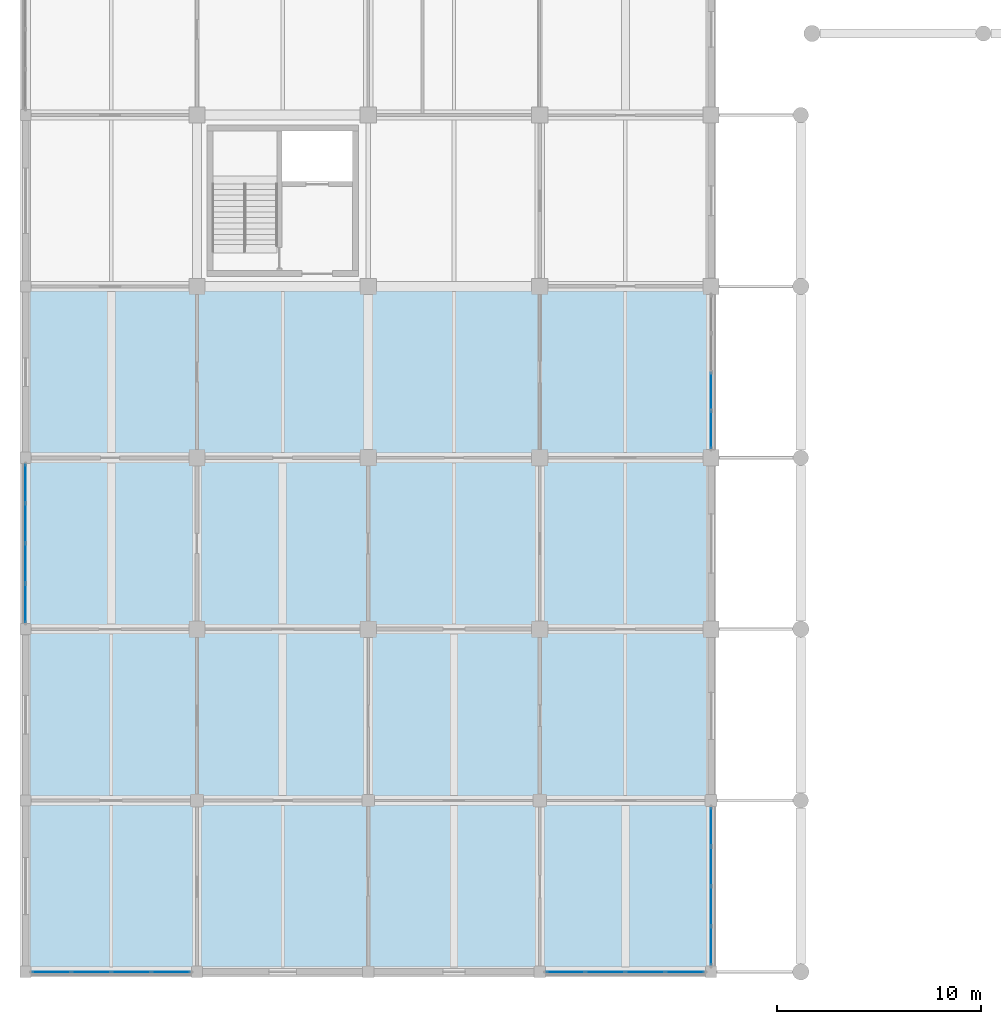
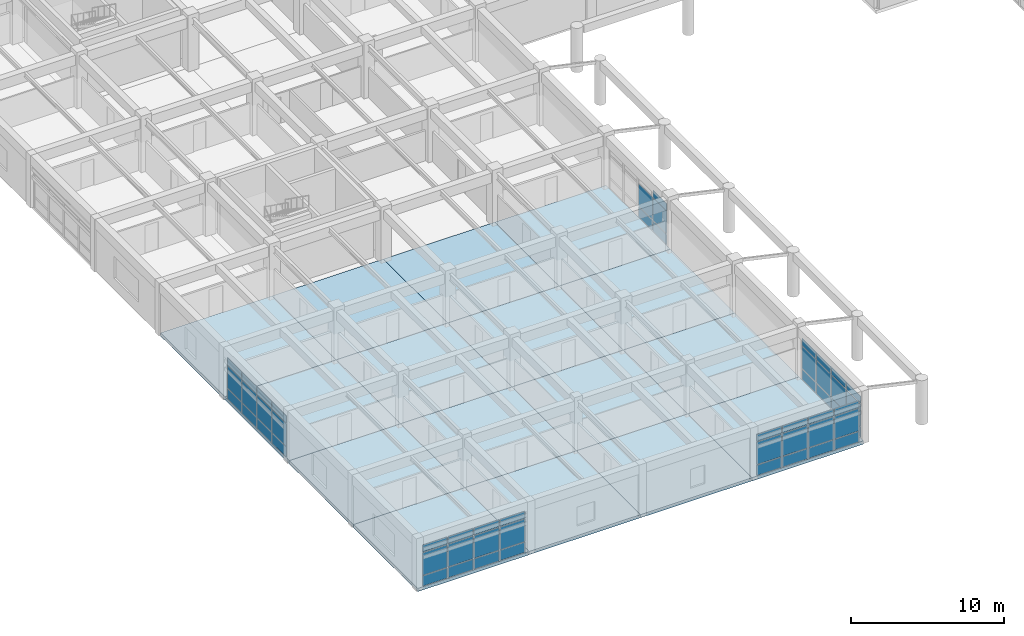
# One storey, part 58 of 99: 53 plates, 16 slabs, 5 elements without a shape of their own.
"""IFC4 building model written with IfcOpenShell, lengths in metres."""

import ifcopenshell
import ifcopenshell.guid

model = None  # the IFC model being written
_history = None  # IfcOwnerHistory: only IFC2X3 demands one
_inside = {}  # id of a spatial element -> (the spatial element, [elements in it])
_under = {}  # id of a project, library or spatial element -> (it, [spatial elements below it])
_declared = {}  # id of a project -> (the project, [libraries it declares])
_typed = {}  # id of a type object -> (the type object, [elements of that type])
_made_of = {}  # id of a material, layer set ... -> (it, [elements and type objects made of it])


def new_model(schema):
    """Start an empty IFC model of exactly this schema.

    Asked for "IFC4X3", IfcOpenShell would pick the latest addendum, in which some entities
    have other attributes; the version numbers below select the first issue.
    IFC2X3 requires an IfcOwnerHistory on every rooted entity: one is made here for all.
    """
    global model, _history
    if schema == "IFC4X3":
        model = ifcopenshell.file(schema_version=(4, 3, 0, 0))
    else:
        model = ifcopenshell.file(schema=schema)
    _inside.clear()
    _under.clear()
    _declared.clear()
    _typed.clear()
    _made_of.clear()
    _history = None
    if model.schema == "IFC2X3":
        org = make("IfcOrganization", Name="unknown")
        user = make(
            "IfcPersonAndOrganization",
            ThePerson=make("IfcPerson", FamilyName="unknown"),
            TheOrganization=org,
        )
        app = make(
            "IfcApplication",
            ApplicationDeveloper=org,
            Version="unknown",
            ApplicationFullName="unknown",
            ApplicationIdentifier="unknown",
        )
        _history = make(
            "IfcOwnerHistory",
            OwningUser=user,
            OwningApplication=app,
            ChangeAction="ADDED",
            CreationDate=0,
        )
    return model


def make(cls, **values):
    """One entity of the class cls with the attributes given. An attribute that is None is left unset."""
    return model.create_entity(
        cls, **{name: value for name, value in values.items() if value is not None}
    )


def rooted(cls, **values):
    """An entity with a GlobalId (a new one), such as an element, a storey or a relation."""
    return make(cls, GlobalId=ifcopenshell.guid.new(), OwnerHistory=_history, **values)


def si_unit(unit_type, name, prefix=None):
    """IfcSIUnit, for example si_unit("LENGTHUNIT", "METRE", prefix="MILLI")."""
    return make("IfcSIUnit", UnitType=unit_type, Prefix=prefix, Name=name)


def assignment(units):
    """IfcUnitAssignment: the units of a project."""
    return None if units is None else make("IfcUnitAssignment", Units=units)


def point(xyz):
    """IfcCartesianPoint."""
    return None if xyz is None else make("IfcCartesianPoint", Coordinates=xyz)


def direction(xyz):
    """IfcDirection."""
    return None if xyz is None else make("IfcDirection", DirectionRatios=xyz)


def frame(location, z_axis=None, x_axis=None):
    """IfcAxis2Placement3D, a coordinate frame: its origin and axes. An axis left out is left unset."""
    return make(
        "IfcAxis2Placement3D",
        Location=point(location),
        Axis=direction(z_axis),
        RefDirection=direction(x_axis),
    )


def frame_2d(location, x_axis=None):
    """IfcAxis2Placement2D, a coordinate frame in the plane: its origin and x axis."""
    return make(
        "IfcAxis2Placement2D", Location=point(location), RefDirection=direction(x_axis)
    )


def origin():
    """The frame at (0, 0, 0) with its axes left unset."""
    return frame((0.0, 0.0, 0.0))


def origin_2d():
    """The frame at (0, 0) in the plane with its x axis left unset."""
    return frame_2d((0.0, 0.0))


def place(relative_to, where):
    """IfcLocalPlacement: puts the frame where relative to a parent placement (None: the world)."""
    return make(
        "IfcLocalPlacement", PlacementRelTo=relative_to, RelativePlacement=where
    )


def context(
    kind, dimensions, precision=None, world=None, true_north=None, identifier=None
):
    """IfcGeometricRepresentationContext, for example the 3D "Model" context."""
    return make(
        "IfcGeometricRepresentationContext",
        ContextIdentifier=identifier,
        ContextType=kind,
        CoordinateSpaceDimension=dimensions,
        Precision=precision,
        WorldCoordinateSystem=world,
        TrueNorth=true_north,
    )


def subcontext(parent, identifier, kind, view, scale=None):
    """IfcGeometricRepresentationSubContext, for example "Body" below "Model"."""
    return make(
        "IfcGeometricRepresentationSubContext",
        ContextIdentifier=identifier,
        ContextType=kind,
        ParentContext=parent,
        TargetScale=scale,
        TargetView=view,
    )


def project(units=None, contexts=None):
    """IfcProject with its units and contexts."""
    return rooted(
        "IfcProject",
        Name="project",
        RepresentationContexts=contexts,
        UnitsInContext=assignment(units),
    )


def spatial(cls, under=None, at=None, **own):
    """A site, building, storey or space (cls), placed at a placement, below another one or the project."""
    s = rooted(cls, ObjectPlacement=at, **own)
    if under is not None:
        _under.setdefault(under.id(), (under, []))[1].append(s)
    return s


def polyline(points):
    """IfcPolyline through the points."""
    return make("IfcPolyline", Points=[point(p) for p in points])


def profile(cls, at=None, kind="AREA", **sizes):
    """A parametric profile (cls). Its sizes go by their IFC names, for example OverallWidth=200.0."""
    return make(cls, ProfileType=kind, Position=at, **sizes)


def rectangle(**sizes):
    """IfcRectangleProfileDef."""
    return profile("IfcRectangleProfileDef", **sizes)


def outline(outer, holes=None, kind="AREA"):
    """IfcArbitraryClosedProfileDef: a profile drawn as a closed curve; with holes, ...WithVoids."""
    if holes is None:
        return make("IfcArbitraryClosedProfileDef", ProfileType=kind, OuterCurve=outer)
    return make(
        "IfcArbitraryProfileDefWithVoids",
        ProfileType=kind,
        OuterCurve=outer,
        InnerCurves=holes,
    )


def extrude(swept, where, along, depth):
    """IfcExtrudedAreaSolid: the profile swept, set in the frame where, extruded along a direction by depth."""
    return make(
        "IfcExtrudedAreaSolid",
        SweptArea=swept,
        Position=where,
        ExtrudedDirection=direction(along),
        Depth=depth,
    )


def shape(context_of_items, identifier, shape_type, items):
    """IfcShapeRepresentation: the items that make up one representation, for example the "Body"."""
    return make(
        "IfcShapeRepresentation",
        ContextOfItems=context_of_items,
        RepresentationIdentifier=identifier,
        RepresentationType=shape_type,
        Items=items,
    )


def material(Name=None, Category=None):
    """IfcMaterial."""
    return make("IfcMaterial", Name=Name, Category=Category)


def layer(
    of_material, thickness, ventilated=None, Name=None, Category=None, Priority=None
):
    """IfcMaterialLayer: one layer of a wall or slab, of a material (None: an air gap)."""
    return make(
        "IfcMaterialLayer",
        Material=of_material,
        LayerThickness=thickness,
        IsVentilated=ventilated,
        Name=Name,
        Category=Category,
        Priority=Priority,
    )


def layer_set(layers, Name=None):
    """IfcMaterialLayerSet."""
    return make("IfcMaterialLayerSet", MaterialLayers=layers, LayerSetName=Name)


def made_of(thing, what):
    """Note that an element or type object is made of a material, layer set ...; save() writes the relation."""
    if what is not None:
        _made_of.setdefault(what.id(), (what, []))[1].append(thing)
    return thing


def type_object(cls, material=None, **own):
    """A type object (cls), such as IfcWallType, which elements share."""
    return made_of(rooted(cls, **own), material)


def element(
    cls,
    number,
    at=None,
    inside=None,
    cuts=None,
    type_object=None,
    material=None,
    context=None,
    identifier="Body",
    shape_type=None,
    held_by="IfcProductDefinitionShape",
    body=None,
    shapes=None,
    **own,
):
    """One element of the class cls, such as IfcWall. Its Tag is "e" and its number.

    at: its placement. inside: the storey or other place that contains it. cuts: it is an
    opening in that element (IfcRelVoidsElement). A single representation is given by context,
    identifier, shape_type and body (its items); several are given by shapes. held_by: the class
    of the entity that holds the representations. save() writes the other relations.
    """
    e = rooted(cls, Tag="e%d" % number, ObjectPlacement=at, **own)
    if body is not None:
        shapes = [shape(context, identifier, shape_type, body)]
    if shapes is not None:
        e.Representation = make(held_by, Representations=shapes)
    if inside is not None:
        _inside.setdefault(inside.id(), (inside, []))[1].append(e)
    if cuts is not None:
        rooted(
            "IfcRelVoidsElement", RelatingBuildingElement=cuts, RelatedOpeningElement=e
        )
    if type_object is not None:
        _typed.setdefault(type_object.id(), (type_object, []))[1].append(e)
    return made_of(e, material)


def aggregate(whole, parts):
    """IfcRelAggregates: a whole, such as a stair, and the parts it consists of."""
    return rooted("IfcRelAggregates", RelatingObject=whole, RelatedObjects=parts)


def save(model, path):
    """Write the relations noted so far, then the file.

    IfcRelAggregates (storeys below a building ...), IfcRelContainedInSpatialStructure (elements
    in a storey), IfcRelDefinesByType, IfcRelAssociatesMaterial and IfcRelDeclares: one each for
    every whole, place, type object, material and project.
    """
    for whole, parts in _under.values():
        aggregate(whole, parts)
    for where, things in _inside.values():
        rooted(
            "IfcRelContainedInSpatialStructure",
            RelatedElements=things,
            RelatingStructure=where,
        )
    for kind, things in _typed.values():
        rooted("IfcRelDefinesByType", RelatedObjects=things, RelatingType=kind)
    for what, things in _made_of.values():
        rooted("IfcRelAssociatesMaterial", RelatedObjects=things, RelatingMaterial=what)
    for by, libraries in _declared.values():
        rooted("IfcRelDeclares", RelatingContext=by, RelatedDefinitions=libraries)
    model.write(path)


model = new_model("IFC4")

# Units and contexts
model_context = context("Model", 3, precision=1e-05, world=origin(), true_north=direction((0.0, 1.0)))
body_context = subcontext(model_context, "Body", "Model", "MODEL_VIEW")
ifc_project = project(units=[si_unit("LENGTHUNIT", "METRE"), si_unit("AREAUNIT", "SQUARE_METRE"), si_unit("VOLUMEUNIT", "CUBIC_METRE"), si_unit("PLANEANGLEUNIT", "RADIAN"), si_unit("MASSUNIT", "GRAM", prefix="KILO")], contexts=[model_context])

# Site, building, storey
site_placement = place(None, origin())
site = spatial("IfcSite", under=ifc_project, at=site_placement, CompositionType="ELEMENT")
building_placement = place(site_placement, origin())
building = spatial("IfcBuilding", under=site, at=building_placement, Name="Porcellanite Civic Hall", CompositionType="ELEMENT")
storey_placement = place(building_placement, frame((0.0, 0.0, 5.760009765625)))
storey = spatial("IfcBuildingStorey", under=building, at=storey_placement, Name="L01", CompositionType="ELEMENT", Elevation=5.760009765625)

# Curtain wall, plates
ifc_material_1 = material(Name="Anodised aluminium and solar laminated glass", Category="aluminium")
ifc_layer_1 = layer(ifc_material_1, 0.179931640625)
ifc_layer_set_1 = layer_set([ifc_layer_1], Name="Anodised aluminium and solar laminated glass")
curtain_wall_type = type_object("IfcCurtainWallType", Name="CW-SYS05", PredefinedType="NOTDEFINED", material=ifc_layer_set_1)
curtain_wall_1_placement = place(storey_placement, origin())
curtain_wall_1 = element("IfcCurtainWall", 1, at=curtain_wall_1_placement, inside=storey, type_object=curtain_wall_type, Name="Curtain wall CW-060", PredefinedType="NOTDEFINED")
ifc_material_2 = material(Name="Cyclone laminated solar-control low-E glass", Category="glass")
ifc_layer_2 = layer(ifc_material_2, 0.028076171875)
ifc_layer_set_2 = layer_set([ifc_layer_2], Name="Cyclone laminated solar-control low-E glass")
plate_type = type_object("IfcPlateType", Name="CWP-03", PredefinedType="CURTAIN_PANEL", material=ifc_layer_set_2)
plate_1_placement = place(storey_placement, frame((7.12548828125, 0.0, 0.06005859375), z_axis=(0.0, 0.0, 1.0), x_axis=(-1.0, 0.0, 0.0)))
plate_1 = element("IfcPlate", 2, at=plate_1_placement, type_object=plate_type, Name="CW-060 panel 1.1", PredefinedType="CURTAIN_PANEL", context=body_context, shape_type="SweptSolid", body=[
    extrude(rectangle(XDim=1.85693359375, YDim=0.028076171875, at=origin_2d()), origin(), (0.0, 0.0, 1.0), 0.81005859375),
])
plate_2_placement = place(storey_placement, frame((7.12548828125, 0.0, 0.929931640625), z_axis=(0.0, 0.0, 1.0), x_axis=(-1.0, 0.0, 0.0)))
plate_2 = element("IfcPlate", 3, at=plate_2_placement, type_object=plate_type, Name="CW-060 panel 1.2", PredefinedType="CURTAIN_PANEL", context=body_context, shape_type="SweptSolid", body=[
    extrude(rectangle(XDim=1.85693359375, YDim=0.028076171875, at=origin_2d()), origin(), (0.0, 0.0, 1.0), 1.7900390625),
])
plate_3_placement = place(storey_placement, frame((7.12548828125, 0.0, 2.780029296875), z_axis=(0.0, 0.0, 1.0), x_axis=(-1.0, 0.0, 0.0)))
plate_3 = element("IfcPlate", 4, at=plate_3_placement, type_object=plate_type, Name="CW-060 panel 1.3", PredefinedType="CURTAIN_PANEL", context=body_context, shape_type="SweptSolid", body=[
    extrude(rectangle(XDim=1.85693359375, YDim=0.028076171875, at=origin_2d()), origin(), (0.0, 0.0, 1.0), 0.56005859375),
])
plate_4_placement = place(storey_placement, frame((5.180908203125, 0.0, 0.06005859375), z_axis=(0.0, 0.0, 1.0), x_axis=(-1.0, 0.0, 0.0)))
plate_4 = element("IfcPlate", 5, at=plate_4_placement, type_object=plate_type, Name="CW-060 panel 2.1", PredefinedType="CURTAIN_PANEL", context=body_context, shape_type="SweptSolid", body=[
    extrude(rectangle(XDim=1.89208984375, YDim=0.028076171875, at=origin_2d()), origin(), (0.0, 0.0, 1.0), 0.81005859375),
])
plate_5_placement = place(storey_placement, frame((5.180908203125, 0.0, 0.929931640625), z_axis=(0.0, 0.0, 1.0), x_axis=(-1.0, 0.0, 0.0)))
plate_5 = element("IfcPlate", 6, at=plate_5_placement, type_object=plate_type, Name="CW-060 panel 2.2", PredefinedType="CURTAIN_PANEL", context=body_context, shape_type="SweptSolid", body=[
    extrude(rectangle(XDim=1.89208984375, YDim=0.028076171875, at=origin_2d()), origin(), (0.0, 0.0, 1.0), 1.7900390625),
])
plate_6_placement = place(storey_placement, frame((5.180908203125, 0.0, 2.780029296875), z_axis=(0.0, 0.0, 1.0), x_axis=(-1.0, 0.0, 0.0)))
plate_6 = element("IfcPlate", 7, at=plate_6_placement, type_object=plate_type, Name="CW-060 panel 2.3", PredefinedType="CURTAIN_PANEL", context=body_context, shape_type="SweptSolid", body=[
    extrude(rectangle(XDim=1.89208984375, YDim=0.028076171875, at=origin_2d()), origin(), (0.0, 0.0, 1.0), 0.56005859375),
])
plate_7_placement = place(storey_placement, frame((3.218994140625, 0.0, 0.06005859375), z_axis=(0.0, 0.0, 1.0), x_axis=(-1.0, 0.0, 0.0)))
plate_7 = element("IfcPlate", 8, at=plate_7_placement, type_object=plate_type, Name="CW-060 panel 3.1", PredefinedType="CURTAIN_PANEL", context=body_context, shape_type="SweptSolid", body=[
    extrude(rectangle(XDim=1.89208984375, YDim=0.028076171875, at=origin_2d()), origin(), (0.0, 0.0, 1.0), 0.81005859375),
])
plate_8_placement = place(storey_placement, frame((3.218994140625, 0.0, 0.929931640625), z_axis=(0.0, 0.0, 1.0), x_axis=(-1.0, 0.0, 0.0)))
plate_8 = element("IfcPlate", 9, at=plate_8_placement, type_object=plate_type, Name="CW-060 panel 3.2", PredefinedType="CURTAIN_PANEL", context=body_context, shape_type="SweptSolid", body=[
    extrude(rectangle(XDim=1.89208984375, YDim=0.028076171875, at=origin_2d()), origin(), (0.0, 0.0, 1.0), 1.7900390625),
])
plate_9_placement = place(storey_placement, frame((3.218994140625, 0.0, 2.780029296875), z_axis=(0.0, 0.0, 1.0), x_axis=(-1.0, 0.0, 0.0)))
plate_9 = element("IfcPlate", 10, at=plate_9_placement, type_object=plate_type, Name="CW-060 panel 3.3", PredefinedType="CURTAIN_PANEL", context=body_context, shape_type="SweptSolid", body=[
    extrude(rectangle(XDim=1.89208984375, YDim=0.028076171875, at=origin_2d()), origin(), (0.0, 0.0, 1.0), 0.56005859375),
])
plate_10_placement = place(storey_placement, frame((1.2744140625, 0.0, 0.06005859375), z_axis=(0.0, 0.0, 1.0), x_axis=(-1.0, 0.0, 0.0)))
plate_10 = element("IfcPlate", 11, at=plate_10_placement, type_object=plate_type, Name="CW-060 panel 4.1", PredefinedType="CURTAIN_PANEL", context=body_context, shape_type="SweptSolid", body=[
    extrude(rectangle(XDim=1.85693359375, YDim=0.028076171875, at=origin_2d()), origin(), (0.0, 0.0, 1.0), 0.81005859375),
])
plate_11_placement = place(storey_placement, frame((1.2744140625, 0.0, 0.929931640625), z_axis=(0.0, 0.0, 1.0), x_axis=(-1.0, 0.0, 0.0)))
plate_11 = element("IfcPlate", 12, at=plate_11_placement, type_object=plate_type, Name="CW-060 panel 4.2", PredefinedType="CURTAIN_PANEL", context=body_context, shape_type="SweptSolid", body=[
    extrude(rectangle(XDim=1.85693359375, YDim=0.028076171875, at=origin_2d()), origin(), (0.0, 0.0, 1.0), 1.7900390625),
])
plate_12_placement = place(storey_placement, frame((1.2744140625, 0.0, 2.780029296875), z_axis=(0.0, 0.0, 1.0), x_axis=(-1.0, 0.0, 0.0)))
plate_12 = element("IfcPlate", 13, at=plate_12_placement, type_object=plate_type, Name="CW-060 panel 4.3", PredefinedType="CURTAIN_PANEL", context=body_context, shape_type="SweptSolid", body=[
    extrude(rectangle(XDim=1.85693359375, YDim=0.028076171875, at=origin_2d()), origin(), (0.0, 0.0, 1.0), 0.56005859375),
])
aggregate(curtain_wall_1, [plate_1, plate_2, plate_3, plate_4, plate_5, plate_6, plate_7, plate_8, plate_9, plate_10, plate_11, plate_12])

curtain_wall_2_placement = place(storey_placement, origin())
curtain_wall_2 = element("IfcCurtainWall", 14, at=curtain_wall_2_placement, inside=storey, type_object=curtain_wall_type, Name="Curtain wall CW-061", PredefinedType="NOTDEFINED")
plate_13_placement = place(storey_placement, frame((0.0, 18.074462890625, 0.06005859375), z_axis=(0.0, 0.0, 1.0), x_axis=(0.0, 1.0, 0.0)))
plate_13 = element("IfcPlate", 15, at=plate_13_placement, type_object=plate_type, Name="CW-061 panel 1.1", PredefinedType="CURTAIN_PANEL", context=body_context, shape_type="SweptSolid", body=[
    extrude(rectangle(XDim=1.85693359375, YDim=0.028076171875, at=origin_2d()), origin(), (0.0, 0.0, 1.0), 0.81005859375),
])
plate_14_placement = place(storey_placement, frame((0.0, 18.074462890625, 0.929931640625), z_axis=(0.0, 0.0, 1.0), x_axis=(0.0, 1.0, 0.0)))
plate_14 = element("IfcPlate", 16, at=plate_14_placement, type_object=plate_type, Name="CW-061 panel 1.2", PredefinedType="CURTAIN_PANEL", context=body_context, shape_type="SweptSolid", body=[
    extrude(rectangle(XDim=1.85693359375, YDim=0.028076171875, at=origin_2d()), origin(), (0.0, 0.0, 1.0), 1.7900390625),
])
plate_15_placement = place(storey_placement, frame((0.0, 18.074462890625, 2.780029296875), z_axis=(0.0, 0.0, 1.0), x_axis=(0.0, 1.0, 0.0)))
plate_15 = element("IfcPlate", 17, at=plate_15_placement, type_object=plate_type, Name="CW-061 panel 1.3", PredefinedType="CURTAIN_PANEL", context=body_context, shape_type="SweptSolid", body=[
    extrude(rectangle(XDim=1.85693359375, YDim=0.028076171875, at=origin_2d()), origin(), (0.0, 0.0, 1.0), 0.56005859375),
])
plate_16_placement = place(storey_placement, frame((0.0, 20.01904296875, 0.06005859375), z_axis=(0.0, 0.0, 1.0), x_axis=(0.0, 1.0, 0.0)))
plate_16 = element("IfcPlate", 18, at=plate_16_placement, type_object=plate_type, Name="CW-061 panel 2.1", PredefinedType="CURTAIN_PANEL", context=body_context, shape_type="SweptSolid", body=[
    extrude(rectangle(XDim=1.89208984375, YDim=0.028076171875, at=origin_2d()), origin(), (0.0, 0.0, 1.0), 0.81005859375),
])
plate_17_placement = place(storey_placement, frame((0.0, 20.01904296875, 0.929931640625), z_axis=(0.0, 0.0, 1.0), x_axis=(0.0, 1.0, 0.0)))
plate_17 = element("IfcPlate", 19, at=plate_17_placement, type_object=plate_type, Name="CW-061 panel 2.2", PredefinedType="CURTAIN_PANEL", context=body_context, shape_type="SweptSolid", body=[
    extrude(rectangle(XDim=1.89208984375, YDim=0.028076171875, at=origin_2d()), origin(), (0.0, 0.0, 1.0), 1.7900390625),
])
plate_18_placement = place(storey_placement, frame((0.0, 20.01904296875, 2.780029296875), z_axis=(0.0, 0.0, 1.0), x_axis=(0.0, 1.0, 0.0)))
plate_18 = element("IfcPlate", 20, at=plate_18_placement, type_object=plate_type, Name="CW-061 panel 2.3", PredefinedType="CURTAIN_PANEL", context=body_context, shape_type="SweptSolid", body=[
    extrude(rectangle(XDim=1.89208984375, YDim=0.028076171875, at=origin_2d()), origin(), (0.0, 0.0, 1.0), 0.56005859375),
])
plate_19_placement = place(storey_placement, frame((0.0, 21.98095703125, 0.06005859375), z_axis=(0.0, 0.0, 1.0), x_axis=(0.0, 1.0, 0.0)))
plate_19 = element("IfcPlate", 21, at=plate_19_placement, type_object=plate_type, Name="CW-061 panel 3.1", PredefinedType="CURTAIN_PANEL", context=body_context, shape_type="SweptSolid", body=[
    extrude(rectangle(XDim=1.89208984375, YDim=0.028076171875, at=origin_2d()), origin(), (0.0, 0.0, 1.0), 0.81005859375),
])
plate_20_placement = place(storey_placement, frame((0.0, 21.98095703125, 0.929931640625), z_axis=(0.0, 0.0, 1.0), x_axis=(0.0, 1.0, 0.0)))
plate_20 = element("IfcPlate", 22, at=plate_20_placement, type_object=plate_type, Name="CW-061 panel 3.2", PredefinedType="CURTAIN_PANEL", context=body_context, shape_type="SweptSolid", body=[
    extrude(rectangle(XDim=1.89208984375, YDim=0.028076171875, at=origin_2d()), origin(), (0.0, 0.0, 1.0), 1.7900390625),
])
plate_21_placement = place(storey_placement, frame((0.0, 21.98095703125, 2.780029296875), z_axis=(0.0, 0.0, 1.0), x_axis=(0.0, 1.0, 0.0)))
plate_21 = element("IfcPlate", 23, at=plate_21_placement, type_object=plate_type, Name="CW-061 panel 3.3", PredefinedType="CURTAIN_PANEL", context=body_context, shape_type="SweptSolid", body=[
    extrude(rectangle(XDim=1.89208984375, YDim=0.028076171875, at=origin_2d()), origin(), (0.0, 0.0, 1.0), 0.56005859375),
])
plate_22_placement = place(storey_placement, frame((0.0, 23.925537109375, 0.06005859375), z_axis=(0.0, 0.0, 1.0), x_axis=(0.0, 1.0, 0.0)))
plate_22 = element("IfcPlate", 24, at=plate_22_placement, type_object=plate_type, Name="CW-061 panel 4.1", PredefinedType="CURTAIN_PANEL", context=body_context, shape_type="SweptSolid", body=[
    extrude(rectangle(XDim=1.85693359375, YDim=0.028076171875, at=origin_2d()), origin(), (0.0, 0.0, 1.0), 0.81005859375),
])
plate_23_placement = place(storey_placement, frame((0.0, 23.925537109375, 0.929931640625), z_axis=(0.0, 0.0, 1.0), x_axis=(0.0, 1.0, 0.0)))
plate_23 = element("IfcPlate", 25, at=plate_23_placement, type_object=plate_type, Name="CW-061 panel 4.2", PredefinedType="CURTAIN_PANEL", context=body_context, shape_type="SweptSolid", body=[
    extrude(rectangle(XDim=1.85693359375, YDim=0.028076171875, at=origin_2d()), origin(), (0.0, 0.0, 1.0), 1.7900390625),
])
plate_24_placement = place(storey_placement, frame((0.0, 23.925537109375, 2.780029296875), z_axis=(0.0, 0.0, 1.0), x_axis=(0.0, 1.0, 0.0)))
plate_24 = element("IfcPlate", 26, at=plate_24_placement, type_object=plate_type, Name="CW-061 panel 4.3", PredefinedType="CURTAIN_PANEL", context=body_context, shape_type="SweptSolid", body=[
    extrude(rectangle(XDim=1.85693359375, YDim=0.028076171875, at=origin_2d()), origin(), (0.0, 0.0, 1.0), 0.56005859375),
])
aggregate(curtain_wall_2, [plate_13, plate_14, plate_15, plate_16, plate_17, plate_18, plate_19, plate_20, plate_21, plate_22, plate_23, plate_24])

curtain_wall_3_placement = place(storey_placement, origin())
curtain_wall_3 = element("IfcCurtainWall", 27, at=curtain_wall_3_placement, inside=storey, type_object=curtain_wall_type, Name="Curtain wall CW-069", PredefinedType="NOTDEFINED")
plate_25_placement = place(storey_placement, frame((32.325439453125, 0.0, 0.06005859375), z_axis=(0.0, 0.0, 1.0), x_axis=(-1.0, 0.0, 0.0)))
plate_25 = element("IfcPlate", 28, at=plate_25_placement, type_object=plate_type, Name="CW-069 panel 1.1", PredefinedType="CURTAIN_PANEL", context=body_context, shape_type="SweptSolid", body=[
    extrude(rectangle(XDim=1.85693359375, YDim=0.028076171875, at=origin_2d()), origin(), (0.0, 0.0, 1.0), 0.81005859375),
])
plate_26_placement = place(storey_placement, frame((32.325439453125, 0.0, 0.929931640625), z_axis=(0.0, 0.0, 1.0), x_axis=(-1.0, 0.0, 0.0)))
plate_26 = element("IfcPlate", 29, at=plate_26_placement, type_object=plate_type, Name="CW-069 panel 1.2", PredefinedType="CURTAIN_PANEL", context=body_context, shape_type="SweptSolid", body=[
    extrude(rectangle(XDim=1.85693359375, YDim=0.028076171875, at=origin_2d()), origin(), (0.0, 0.0, 1.0), 1.7900390625),
])
plate_27_placement = place(storey_placement, frame((32.325439453125, 0.0, 2.780029296875), z_axis=(0.0, 0.0, 1.0), x_axis=(-1.0, 0.0, 0.0)))
plate_27 = element("IfcPlate", 30, at=plate_27_placement, type_object=plate_type, Name="CW-069 panel 1.3", PredefinedType="CURTAIN_PANEL", context=body_context, shape_type="SweptSolid", body=[
    extrude(rectangle(XDim=1.85693359375, YDim=0.028076171875, at=origin_2d()), origin(), (0.0, 0.0, 1.0), 0.56005859375),
])
plate_28_placement = place(storey_placement, frame((30.381103515625, 0.0, 0.06005859375), z_axis=(0.0, 0.0, 1.0), x_axis=(-1.0, 0.0, 0.0)))
plate_28 = element("IfcPlate", 31, at=plate_28_placement, type_object=plate_type, Name="CW-069 panel 2.1", PredefinedType="CURTAIN_PANEL", context=body_context, shape_type="SweptSolid", body=[
    extrude(rectangle(XDim=1.89208984375, YDim=0.028076171875, at=origin_2d()), origin(), (0.0, 0.0, 1.0), 0.81005859375),
])
plate_29_placement = place(storey_placement, frame((30.381103515625, 0.0, 0.929931640625), z_axis=(0.0, 0.0, 1.0), x_axis=(-1.0, 0.0, 0.0)))
plate_29 = element("IfcPlate", 32, at=plate_29_placement, type_object=plate_type, Name="CW-069 panel 2.2", PredefinedType="CURTAIN_PANEL", context=body_context, shape_type="SweptSolid", body=[
    extrude(rectangle(XDim=1.89208984375, YDim=0.028076171875, at=origin_2d()), origin(), (0.0, 0.0, 1.0), 1.7900390625),
])
plate_30_placement = place(storey_placement, frame((30.381103515625, 0.0, 2.780029296875), z_axis=(0.0, 0.0, 1.0), x_axis=(-1.0, 0.0, 0.0)))
plate_30 = element("IfcPlate", 33, at=plate_30_placement, type_object=plate_type, Name="CW-069 panel 2.3", PredefinedType="CURTAIN_PANEL", context=body_context, shape_type="SweptSolid", body=[
    extrude(rectangle(XDim=1.89208984375, YDim=0.028076171875, at=origin_2d()), origin(), (0.0, 0.0, 1.0), 0.56005859375),
])
plate_31_placement = place(storey_placement, frame((28.4189453125, 0.0, 0.06005859375), z_axis=(0.0, 0.0, 1.0), x_axis=(-1.0, 0.0, 0.0)))
plate_31 = element("IfcPlate", 34, at=plate_31_placement, type_object=plate_type, Name="CW-069 panel 3.1", PredefinedType="CURTAIN_PANEL", context=body_context, shape_type="SweptSolid", body=[
    extrude(rectangle(XDim=1.89208984375, YDim=0.028076171875, at=origin_2d()), origin(), (0.0, 0.0, 1.0), 0.81005859375),
])
plate_32_placement = place(storey_placement, frame((28.4189453125, 0.0, 0.929931640625), z_axis=(0.0, 0.0, 1.0), x_axis=(-1.0, 0.0, 0.0)))
plate_32 = element("IfcPlate", 35, at=plate_32_placement, type_object=plate_type, Name="CW-069 panel 3.2", PredefinedType="CURTAIN_PANEL", context=body_context, shape_type="SweptSolid", body=[
    extrude(rectangle(XDim=1.89208984375, YDim=0.028076171875, at=origin_2d()), origin(), (0.0, 0.0, 1.0), 1.7900390625),
])
plate_33_placement = place(storey_placement, frame((28.4189453125, 0.0, 2.780029296875), z_axis=(0.0, 0.0, 1.0), x_axis=(-1.0, 0.0, 0.0)))
plate_33 = element("IfcPlate", 36, at=plate_33_placement, type_object=plate_type, Name="CW-069 panel 3.3", PredefinedType="CURTAIN_PANEL", context=body_context, shape_type="SweptSolid", body=[
    extrude(rectangle(XDim=1.89208984375, YDim=0.028076171875, at=origin_2d()), origin(), (0.0, 0.0, 1.0), 0.56005859375),
])
plate_34_placement = place(storey_placement, frame((26.474609375, 0.0, 0.06005859375), z_axis=(0.0, 0.0, 1.0), x_axis=(-1.0, 0.0, 0.0)))
plate_34 = element("IfcPlate", 37, at=plate_34_placement, type_object=plate_type, Name="CW-069 panel 4.1", PredefinedType="CURTAIN_PANEL", context=body_context, shape_type="SweptSolid", body=[
    extrude(rectangle(XDim=1.85693359375, YDim=0.028076171875, at=origin_2d()), origin(), (0.0, 0.0, 1.0), 0.81005859375),
])
plate_35_placement = place(storey_placement, frame((26.474609375, 0.0, 0.929931640625), z_axis=(0.0, 0.0, 1.0), x_axis=(-1.0, 0.0, 0.0)))
plate_35 = element("IfcPlate", 38, at=plate_35_placement, type_object=plate_type, Name="CW-069 panel 4.2", PredefinedType="CURTAIN_PANEL", context=body_context, shape_type="SweptSolid", body=[
    extrude(rectangle(XDim=1.85693359375, YDim=0.028076171875, at=origin_2d()), origin(), (0.0, 0.0, 1.0), 1.7900390625),
])
plate_36_placement = place(storey_placement, frame((26.474609375, 0.0, 2.780029296875), z_axis=(0.0, 0.0, 1.0), x_axis=(-1.0, 0.0, 0.0)))
plate_36 = element("IfcPlate", 39, at=plate_36_placement, type_object=plate_type, Name="CW-069 panel 4.3", PredefinedType="CURTAIN_PANEL", context=body_context, shape_type="SweptSolid", body=[
    extrude(rectangle(XDim=1.85693359375, YDim=0.028076171875, at=origin_2d()), origin(), (0.0, 0.0, 1.0), 0.56005859375),
])
aggregate(curtain_wall_3, [plate_25, plate_26, plate_27, plate_28, plate_29, plate_30, plate_31, plate_32, plate_33, plate_34, plate_35, plate_36])

curtain_wall_4_placement = place(storey_placement, origin())
curtain_wall_4 = element("IfcCurtainWall", 40, at=curtain_wall_4_placement, inside=storey, type_object=curtain_wall_type, Name="Curtain wall CW-070", PredefinedType="NOTDEFINED")
plate_37_placement = place(storey_placement, frame((33.60009765625, 7.103515625, 0.06005859375), z_axis=(0.0, 0.0, 1.0), x_axis=(0.0, -1.0, 0.0)))
plate_37 = element("IfcPlate", 41, at=plate_37_placement, type_object=plate_type, Name="CW-070 panel 1.1", PredefinedType="CURTAIN_PANEL", context=body_context, shape_type="SweptSolid", body=[
    extrude(rectangle(XDim=1.850830078125, YDim=0.028076171875, at=origin_2d()), origin(), (0.0, 0.0, 1.0), 0.81005859375),
])
plate_38_placement = place(storey_placement, frame((33.60009765625, 7.103515625, 0.929931640625), z_axis=(0.0, 0.0, 1.0), x_axis=(0.0, -1.0, 0.0)))
plate_38 = element("IfcPlate", 42, at=plate_38_placement, type_object=plate_type, Name="CW-070 panel 1.2", PredefinedType="CURTAIN_PANEL", context=body_context, shape_type="SweptSolid", body=[
    extrude(rectangle(XDim=1.850830078125, YDim=0.028076171875, at=origin_2d()), origin(), (0.0, 0.0, 1.0), 1.7900390625),
])
plate_39_placement = place(storey_placement, frame((33.60009765625, 7.103515625, 2.780029296875), z_axis=(0.0, 0.0, 1.0), x_axis=(0.0, -1.0, 0.0)))
plate_39 = element("IfcPlate", 43, at=plate_39_placement, type_object=plate_type, Name="CW-070 panel 1.3", PredefinedType="CURTAIN_PANEL", context=body_context, shape_type="SweptSolid", body=[
    extrude(rectangle(XDim=1.850830078125, YDim=0.028076171875, at=origin_2d()), origin(), (0.0, 0.0, 1.0), 0.56005859375),
])
plate_40_placement = place(storey_placement, frame((33.60009765625, 5.165283203125, 0.06005859375), z_axis=(0.0, 0.0, 1.0), x_axis=(0.0, -1.0, 0.0)))
plate_40 = element("IfcPlate", 44, at=plate_40_placement, type_object=plate_type, Name="CW-070 panel 2.1", PredefinedType="CURTAIN_PANEL", context=body_context, shape_type="SweptSolid", body=[
    extrude(rectangle(XDim=1.8857421875, YDim=0.028076171875, at=origin_2d()), origin(), (0.0, 0.0, 1.0), 0.81005859375),
])
plate_41_placement = place(storey_placement, frame((33.60009765625, 5.165283203125, 0.929931640625), z_axis=(0.0, 0.0, 1.0), x_axis=(0.0, -1.0, 0.0)))
plate_41 = element("IfcPlate", 45, at=plate_41_placement, type_object=plate_type, Name="CW-070 panel 2.2", PredefinedType="CURTAIN_PANEL", context=body_context, shape_type="SweptSolid", body=[
    extrude(rectangle(XDim=1.8857421875, YDim=0.028076171875, at=origin_2d()), origin(), (0.0, 0.0, 1.0), 1.7900390625),
])
plate_42_placement = place(storey_placement, frame((33.60009765625, 5.165283203125, 2.780029296875), z_axis=(0.0, 0.0, 1.0), x_axis=(0.0, -1.0, 0.0)))
plate_42 = element("IfcPlate", 46, at=plate_42_placement, type_object=plate_type, Name="CW-070 panel 2.3", PredefinedType="CURTAIN_PANEL", context=body_context, shape_type="SweptSolid", body=[
    extrude(rectangle(XDim=1.8857421875, YDim=0.028076171875, at=origin_2d()), origin(), (0.0, 0.0, 1.0), 0.56005859375),
])
plate_43_placement = place(storey_placement, frame((33.60009765625, 3.209716796875, 0.06005859375), z_axis=(0.0, 0.0, 1.0), x_axis=(0.0, -1.0, 0.0)))
plate_43 = element("IfcPlate", 47, at=plate_43_placement, type_object=plate_type, Name="CW-070 panel 3.1", PredefinedType="CURTAIN_PANEL", context=body_context, shape_type="SweptSolid", body=[
    extrude(rectangle(XDim=1.8857421875, YDim=0.028076171875, at=origin_2d()), origin(), (0.0, 0.0, 1.0), 0.81005859375),
])
plate_44_placement = place(storey_placement, frame((33.60009765625, 3.209716796875, 0.929931640625), z_axis=(0.0, 0.0, 1.0), x_axis=(0.0, -1.0, 0.0)))
plate_44 = element("IfcPlate", 48, at=plate_44_placement, type_object=plate_type, Name="CW-070 panel 3.2", PredefinedType="CURTAIN_PANEL", context=body_context, shape_type="SweptSolid", body=[
    extrude(rectangle(XDim=1.8857421875, YDim=0.028076171875, at=origin_2d()), origin(), (0.0, 0.0, 1.0), 1.7900390625),
])
plate_45_placement = place(storey_placement, frame((33.60009765625, 3.209716796875, 2.780029296875), z_axis=(0.0, 0.0, 1.0), x_axis=(0.0, -1.0, 0.0)))
plate_45 = element("IfcPlate", 49, at=plate_45_placement, type_object=plate_type, Name="CW-070 panel 3.3", PredefinedType="CURTAIN_PANEL", context=body_context, shape_type="SweptSolid", body=[
    extrude(rectangle(XDim=1.8857421875, YDim=0.028076171875, at=origin_2d()), origin(), (0.0, 0.0, 1.0), 0.56005859375),
])
plate_46_placement = place(storey_placement, frame((33.60009765625, 1.271484375, 0.06005859375), z_axis=(0.0, 0.0, 1.0), x_axis=(0.0, -1.0, 0.0)))
plate_46 = element("IfcPlate", 50, at=plate_46_placement, type_object=plate_type, Name="CW-070 panel 4.1", PredefinedType="CURTAIN_PANEL", context=body_context, shape_type="SweptSolid", body=[
    extrude(rectangle(XDim=1.850830078125, YDim=0.028076171875, at=origin_2d()), origin(), (0.0, 0.0, 1.0), 0.81005859375),
])
plate_47_placement = place(storey_placement, frame((33.60009765625, 1.271484375, 0.929931640625), z_axis=(0.0, 0.0, 1.0), x_axis=(0.0, -1.0, 0.0)))
plate_47 = element("IfcPlate", 51, at=plate_47_placement, type_object=plate_type, Name="CW-070 panel 4.2", PredefinedType="CURTAIN_PANEL", context=body_context, shape_type="SweptSolid", body=[
    extrude(rectangle(XDim=1.850830078125, YDim=0.028076171875, at=origin_2d()), origin(), (0.0, 0.0, 1.0), 1.7900390625),
])
plate_48_placement = place(storey_placement, frame((33.60009765625, 1.271484375, 2.780029296875), z_axis=(0.0, 0.0, 1.0), x_axis=(0.0, -1.0, 0.0)))
plate_48 = element("IfcPlate", 52, at=plate_48_placement, type_object=plate_type, Name="CW-070 panel 4.3", PredefinedType="CURTAIN_PANEL", context=body_context, shape_type="SweptSolid", body=[
    extrude(rectangle(XDim=1.850830078125, YDim=0.028076171875, at=origin_2d()), origin(), (0.0, 0.0, 1.0), 0.56005859375),
])
aggregate(curtain_wall_4, [plate_37, plate_38, plate_39, plate_40, plate_41, plate_42, plate_43, plate_44, plate_45, plate_46, plate_47, plate_48])

curtain_wall_5_placement = place(storey_placement, origin())
curtain_wall_5 = element("IfcCurtainWall", 53, at=curtain_wall_5_placement, inside=storey, type_object=curtain_wall_type, Name="Curtain wall CW-071", PredefinedType="NOTDEFINED")
plate_49_placement = place(storey_placement, frame((33.60009765625, 28.4501953125, 0.06005859375), z_axis=(0.0, 0.0, 1.0), x_axis=(0.0, -1.0, 0.0)))
plate_49 = element("IfcPlate", 54, at=plate_49_placement, type_object=plate_type, Name="CW-071 panel 3.1", PredefinedType="CURTAIN_PANEL", context=body_context, shape_type="SweptSolid", body=[
    extrude(rectangle(XDim=1.82958984375, YDim=0.028076171875, at=origin_2d()), origin(), (0.0, 0.0, 1.0), 0.81005859375),
])
plate_50_placement = place(storey_placement, frame((33.60009765625, 28.4501953125, 0.929931640625), z_axis=(0.0, 0.0, 1.0), x_axis=(0.0, -1.0, 0.0)))
plate_50 = element("IfcPlate", 55, at=plate_50_placement, type_object=plate_type, Name="CW-071 panel 3.2", PredefinedType="CURTAIN_PANEL", context=body_context, shape_type="SweptSolid", body=[
    extrude(rectangle(XDim=1.82958984375, YDim=0.028076171875, at=origin_2d()), origin(), (0.0, 0.0, 1.0), 1.7900390625),
])
plate_51_placement = place(storey_placement, frame((33.60009765625, 26.568359375, 0.06005859375), z_axis=(0.0, 0.0, 1.0), x_axis=(0.0, -1.0, 0.0)))
plate_51 = element("IfcPlate", 56, at=plate_51_placement, type_object=plate_type, Name="CW-071 panel 4.1", PredefinedType="CURTAIN_PANEL", context=body_context, shape_type="SweptSolid", body=[
    extrude(rectangle(XDim=1.79443359375, YDim=0.028076171875, at=origin_2d()), origin(), (0.0, 0.0, 1.0), 0.81005859375),
])
plate_52_placement = place(storey_placement, frame((33.60009765625, 26.568359375, 0.929931640625), z_axis=(0.0, 0.0, 1.0), x_axis=(0.0, -1.0, 0.0)))
plate_52 = element("IfcPlate", 57, at=plate_52_placement, type_object=plate_type, Name="CW-071 panel 4.2", PredefinedType="CURTAIN_PANEL", context=body_context, shape_type="SweptSolid", body=[
    extrude(rectangle(XDim=1.79443359375, YDim=0.028076171875, at=origin_2d()), origin(), (0.0, 0.0, 1.0), 1.7900390625),
])
plate_53_placement = place(storey_placement, frame((33.60009765625, 26.568359375, 2.780029296875), z_axis=(0.0, 0.0, 1.0), x_axis=(0.0, -1.0, 0.0)))
plate_53 = element("IfcPlate", 58, at=plate_53_placement, type_object=plate_type, Name="CW-071 panel 4.3", PredefinedType="CURTAIN_PANEL", context=body_context, shape_type="SweptSolid", body=[
    extrude(rectangle(XDim=1.79443359375, YDim=0.028076171875, at=origin_2d()), origin(), (0.0, 0.0, 1.0), 0.56005859375),
])
aggregate(curtain_wall_5, [plate_49, plate_50, plate_51, plate_52, plate_53])

# Slabs
ifc_material_3 = material(Name="Concrete N40 (40 MPa)", Category="concrete")
ifc_layer_3 = layer(ifc_material_3, 0.25)
ifc_layer_set_3 = layer_set([ifc_layer_3], Name="Concrete N40 (40 MPa)")
slab_type_1 = type_object("IfcSlabType", Name="SL-FL250", PredefinedType="FLOOR", material=ifc_layer_set_3)
slab_1_placement = place(storey_placement, frame((0.0, 0.0, -0.25)))
element("IfcSlab", 59, at=slab_1_placement, inside=storey, type_object=slab_type_1, Name="Slab L01 bay 1-2", PredefinedType="FLOOR", context=body_context, shape_type="SweptSolid", body=[
    extrude(outline(polyline([(0.0, 8.39990234375), (8.39990234375, 8.39990234375), (8.39990234375, 16.800048828125), (0.0, 16.800048828125), (0.0, 8.39990234375)])), origin(), (0.0, 0.0, 1.0), 0.25),
])
slab_2_placement = place(storey_placement, frame((0.0, 0.0, -0.25)))
element("IfcSlab", 60, at=slab_2_placement, inside=storey, type_object=slab_type_1, Name="Slab L01 bay 1-3", PredefinedType="FLOOR", context=body_context, shape_type="SweptSolid", body=[
    extrude(outline(polyline([(0.0, 16.800048828125), (8.39990234375, 16.800048828125), (8.39990234375, 25.199951171875), (0.0, 25.199951171875), (0.0, 16.800048828125)])), origin(), (0.0, 0.0, 1.0), 0.25),
])
slab_3_placement = place(storey_placement, frame((0.0, 0.0, -0.25)))
element("IfcSlab", 61, at=slab_3_placement, inside=storey, type_object=slab_type_1, Name="Slab L01 bay 2-1", PredefinedType="FLOOR", context=body_context, shape_type="SweptSolid", body=[
    extrude(outline(polyline([(8.39990234375, 0.0), (16.800048828125, 0.0), (16.800048828125, 8.39990234375), (8.39990234375, 8.39990234375), (8.39990234375, 0.0)])), origin(), (0.0, 0.0, 1.0), 0.25),
])
slab_4_placement = place(storey_placement, frame((0.0, 0.0, -0.25)))
element("IfcSlab", 62, at=slab_4_placement, inside=storey, type_object=slab_type_1, Name="Slab L01 bay 2-2", PredefinedType="FLOOR", context=body_context, shape_type="SweptSolid", body=[
    extrude(outline(polyline([(8.39990234375, 8.39990234375), (16.800048828125, 8.39990234375), (16.800048828125, 16.800048828125), (8.39990234375, 16.800048828125), (8.39990234375, 8.39990234375)])), origin(), (0.0, 0.0, 1.0), 0.25),
])
slab_5_placement = place(storey_placement, frame((0.0, 0.0, -0.25)))
element("IfcSlab", 63, at=slab_5_placement, inside=storey, type_object=slab_type_1, Name="Slab L01 bay 2-4", PredefinedType="FLOOR", context=body_context, shape_type="SweptSolid", body=[
    extrude(outline(polyline([(8.39990234375, 25.199951171875), (16.800048828125, 25.199951171875), (16.800048828125, 33.60009765625), (8.39990234375, 33.60009765625), (8.39990234375, 25.199951171875)])), origin(), (0.0, 0.0, 1.0), 0.25),
])
slab_6_placement = place(storey_placement, frame((0.0, 0.0, -0.25)))
element("IfcSlab", 64, at=slab_6_placement, inside=storey, type_object=slab_type_1, Name="Slab L01 bay 3-1", PredefinedType="FLOOR", context=body_context, shape_type="SweptSolid", body=[
    extrude(outline(polyline([(16.800048828125, 0.0), (25.199951171875, 0.0), (25.199951171875, 8.39990234375), (16.800048828125, 8.39990234375), (16.800048828125, 0.0)])), origin(), (0.0, 0.0, 1.0), 0.25),
])
slab_7_placement = place(storey_placement, frame((0.0, 0.0, -0.25)))
element("IfcSlab", 65, at=slab_7_placement, inside=storey, type_object=slab_type_1, Name="Slab L01 bay 3-3", PredefinedType="FLOOR", context=body_context, shape_type="SweptSolid", body=[
    extrude(outline(polyline([(16.800048828125, 16.800048828125), (25.199951171875, 16.800048828125), (25.199951171875, 25.199951171875), (16.800048828125, 25.199951171875), (16.800048828125, 16.800048828125)])), origin(), (0.0, 0.0, 1.0), 0.25),
])
slab_8_placement = place(storey_placement, frame((0.0, 0.0, -0.25)))
element("IfcSlab", 66, at=slab_8_placement, inside=storey, type_object=slab_type_1, Name="Slab L01 bay 3-4", PredefinedType="FLOOR", context=body_context, shape_type="SweptSolid", body=[
    extrude(outline(polyline([(16.800048828125, 25.199951171875), (25.199951171875, 25.199951171875), (25.199951171875, 33.60009765625), (16.800048828125, 33.60009765625), (16.800048828125, 25.199951171875)])), origin(), (0.0, 0.0, 1.0), 0.25),
])
slab_9_placement = place(storey_placement, frame((0.0, 0.0, -0.25)))
element("IfcSlab", 67, at=slab_9_placement, inside=storey, type_object=slab_type_1, Name="Slab L01 bay 4-2", PredefinedType="FLOOR", context=body_context, shape_type="SweptSolid", body=[
    extrude(outline(polyline([(25.199951171875, 8.39990234375), (33.60009765625, 8.39990234375), (33.60009765625, 16.800048828125), (25.199951171875, 16.800048828125), (25.199951171875, 8.39990234375)])), origin(), (0.0, 0.0, 1.0), 0.25),
])
slab_10_placement = place(storey_placement, frame((0.0, 0.0, -0.25)))
element("IfcSlab", 68, at=slab_10_placement, inside=storey, type_object=slab_type_1, Name="Slab L01 bay 4-3", PredefinedType="FLOOR", context=body_context, shape_type="SweptSolid", body=[
    extrude(outline(polyline([(25.199951171875, 16.800048828125), (33.60009765625, 16.800048828125), (33.60009765625, 25.199951171875), (25.199951171875, 25.199951171875), (25.199951171875, 16.800048828125)])), origin(), (0.0, 0.0, 1.0), 0.25),
])
ifc_material_4 = material(Name="Concrete N40 (40 MPa)", Category="concrete")
ifc_layer_4 = layer(ifc_material_4, 0.260009765625)
ifc_layer_set_4 = layer_set([ifc_layer_4], Name="Concrete N40 (40 MPa)")
slab_type_2 = type_object("IfcSlabType", Name="SL-FL260", PredefinedType="FLOOR", material=ifc_layer_set_4)
slab_11_placement = place(storey_placement, frame((0.0, 0.0, -0.260009765625)))
element("IfcSlab", 69, at=slab_11_placement, inside=storey, type_object=slab_type_2, Name="Slab L01 bay 1-1", PredefinedType="FLOOR", context=body_context, shape_type="SweptSolid", body=[
    extrude(outline(polyline([(0.0, 0.0), (8.39990234375, 0.0), (8.39990234375, 8.39990234375), (0.0, 8.39990234375), (0.0, 0.0)])), origin(), (0.0, 0.0, 1.0), 0.260009765625),
])
slab_12_placement = place(storey_placement, frame((0.0, 0.0, -0.260009765625)))
element("IfcSlab", 70, at=slab_12_placement, inside=storey, type_object=slab_type_2, Name="Slab L01 bay 1-4", PredefinedType="FLOOR", context=body_context, shape_type="SweptSolid", body=[
    extrude(outline(polyline([(0.0, 25.199951171875), (8.39990234375, 25.199951171875), (8.39990234375, 33.60009765625), (0.0, 33.60009765625), (0.0, 25.199951171875)])), origin(), (0.0, 0.0, 1.0), 0.260009765625),
])
slab_13_placement = place(storey_placement, frame((0.0, 0.0, -0.260009765625)))
element("IfcSlab", 71, at=slab_13_placement, inside=storey, type_object=slab_type_2, Name="Slab L01 bay 2-3", PredefinedType="FLOOR", context=body_context, shape_type="SweptSolid", body=[
    extrude(outline(polyline([(8.39990234375, 16.800048828125), (16.800048828125, 16.800048828125), (16.800048828125, 25.199951171875), (8.39990234375, 25.199951171875), (8.39990234375, 16.800048828125)])), origin(), (0.0, 0.0, 1.0), 0.260009765625),
])
slab_14_placement = place(storey_placement, frame((0.0, 0.0, -0.260009765625)))
element("IfcSlab", 72, at=slab_14_placement, inside=storey, type_object=slab_type_2, Name="Slab L01 bay 3-2", PredefinedType="FLOOR", context=body_context, shape_type="SweptSolid", body=[
    extrude(outline(polyline([(16.800048828125, 8.39990234375), (25.199951171875, 8.39990234375), (25.199951171875, 16.800048828125), (16.800048828125, 16.800048828125), (16.800048828125, 8.39990234375)])), origin(), (0.0, 0.0, 1.0), 0.260009765625),
])
slab_15_placement = place(storey_placement, frame((0.0, 0.0, -0.260009765625)))
element("IfcSlab", 73, at=slab_15_placement, inside=storey, type_object=slab_type_2, Name="Slab L01 bay 4-1", PredefinedType="FLOOR", context=body_context, shape_type="SweptSolid", body=[
    extrude(outline(polyline([(25.199951171875, 0.0), (33.60009765625, 0.0), (33.60009765625, 8.39990234375), (25.199951171875, 8.39990234375), (25.199951171875, 0.0)])), origin(), (0.0, 0.0, 1.0), 0.260009765625),
])
slab_16_placement = place(storey_placement, frame((0.0, 0.0, -0.260009765625)))
element("IfcSlab", 74, at=slab_16_placement, inside=storey, type_object=slab_type_2, Name="Slab L01 bay 4-4", PredefinedType="FLOOR", context=body_context, shape_type="SweptSolid", body=[
    extrude(outline(polyline([(25.199951171875, 25.199951171875), (33.60009765625, 25.199951171875), (33.60009765625, 33.60009765625), (25.199951171875, 33.60009765625), (25.199951171875, 25.199951171875)])), origin(), (0.0, 0.0, 1.0), 0.260009765625),
])

save(model, "model.ifc")
